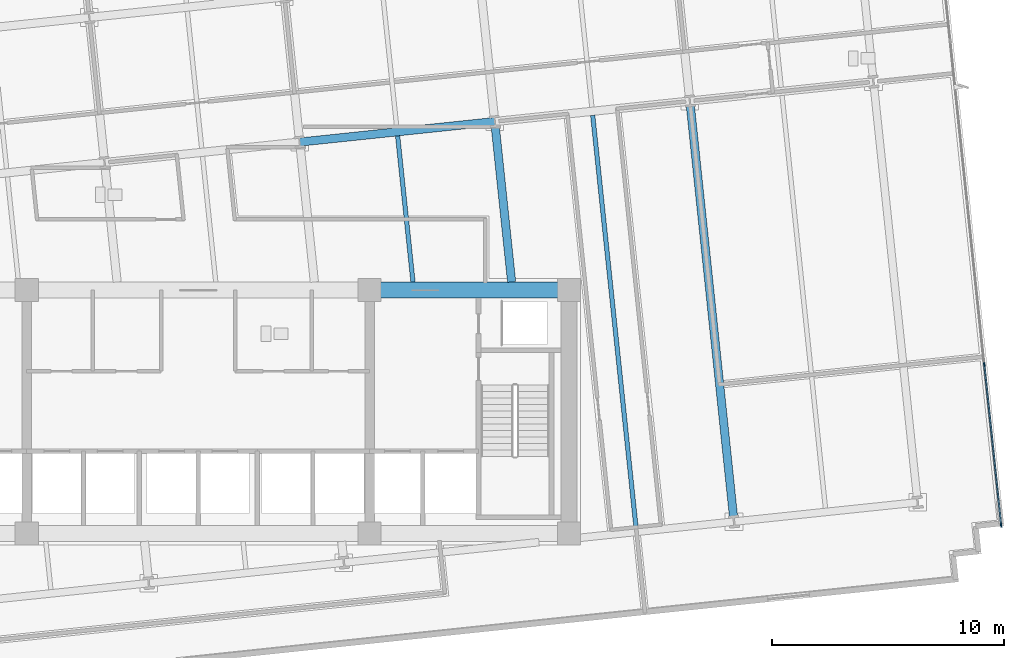
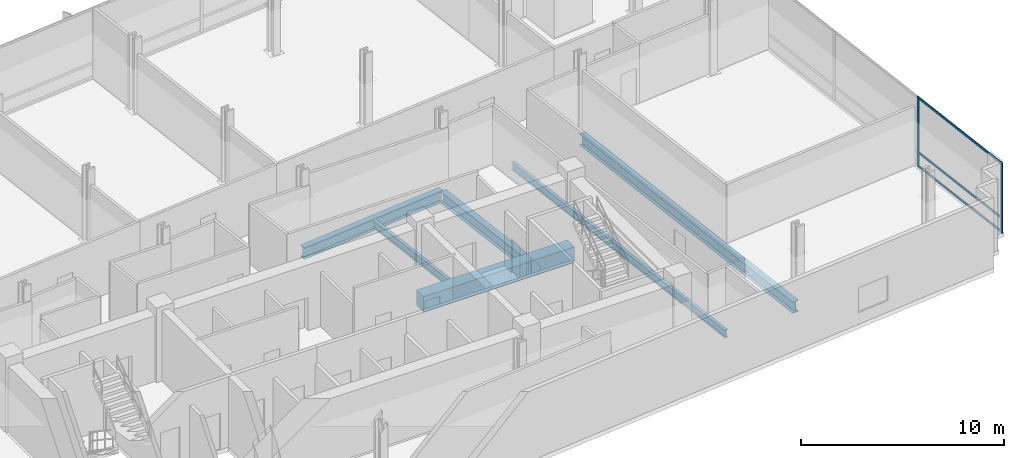
# One storey, part 6 of 20: 6 beams, 5 members, 1 element without a shape of its own.
"""IFC4 building model written with IfcOpenShell, lengths in metres."""

from ifc_helpers import new_model, si_unit, direction, frame, origin, origin_2d, place, context, subcontext, project, spatial, rectangle, i_section, extrude, material, material_profile, profile_set, type_object, element, aggregate, save


model = new_model("IFC4")

# Units and contexts
model_context = context("Model", 3, precision=1e-05, world=origin(), true_north=direction((0.0, 1.0)))
body_context = subcontext(model_context, "Body", "Model", "MODEL_VIEW")
ifc_project = project(units=[si_unit("LENGTHUNIT", "METRE"), si_unit("AREAUNIT", "SQUARE_METRE"), si_unit("VOLUMEUNIT", "CUBIC_METRE"), si_unit("PLANEANGLEUNIT", "RADIAN"), si_unit("MASSUNIT", "GRAM", prefix="KILO")], contexts=[model_context])

# Site, building, storey
site_placement = place(None, origin())
site = spatial("IfcSite", under=ifc_project, at=site_placement, CompositionType="ELEMENT")
building_placement = place(site_placement, origin())
building = spatial("IfcBuilding", under=site, at=building_placement, Name="Solmavex Isthmus Hotel", CompositionType="ELEMENT")
storey_placement = place(building_placement, frame((0.0, 0.0, 101.85009765625)))
storey = spatial("IfcBuildingStorey", under=building, at=storey_placement, Name="L27", CompositionType="ELEMENT", Elevation=101.85009765625)

# Beams
ifc_material_1 = material(Name="Steel ASTM A992 Grade 50", Category="steel")
ifc_material_profile_1 = material_profile(ifc_material_1, i_section(OverallWidth=0.354736328125, OverallDepth=0.695556640625, WebThickness=0.015380859375, FlangeThickness=0.02490234375, FilletRadius=0.017822265625, at=origin_2d()), Name="W27X146")
ifc_profile_set_1 = profile_set([ifc_material_profile_1], Name="Steel ASTM A992 Grade 50")
beam_type_1 = type_object("IfcBeamType", Name="BM-BG-W27X146", PredefinedType="BEAM", material=ifc_profile_set_1)
beam_1_placement = place(storey_placement, frame((4.38037109375, 3.888427734375, -0.60791015625), z_axis=(0.994521085209, 0.104536171134, 0.0), x_axis=(-0.104536171134, 0.994521085209, 0.0)))
element("IfcBeam", 1, at=beam_1_placement, inside=storey, type_object=beam_type_1, Name="Floor Girder L27-UG10", PredefinedType="BEAM", context=body_context, shape_type="SweptSolid", body=[
    extrude(i_section(OverallWidth=0.354736328125, OverallDepth=0.695556640625, WebThickness=0.015380859375, FlangeThickness=0.02490234375, FilletRadius=0.017822265625, at=origin_2d()), origin(), (0.0, 0.0, 1.0), 8.466064453125),
])
beam_2_placement = place(storey_placement, frame((13.52783203125, -2.14990234375, -0.60791015625), z_axis=(-0.104544283528, 0.994520232465, 0.0), x_axis=(-0.994520232465, -0.104544283528, 0.0)))
element("IfcBeam", 2, at=beam_2_placement, inside=storey, type_object=beam_type_1, Name="Floor Beam L27-VG40", PredefinedType="BEAM", context=body_context, shape_type="SweptSolid", body=[
    extrude(i_section(OverallWidth=0.354736328125, OverallDepth=0.695556640625, WebThickness=0.015380859375, FlangeThickness=0.02490234375, FilletRadius=0.017822265625, at=origin_2d()), origin(), (0.0, 0.0, 1.0), 6.783935546875),
])
beam_3_placement = place(storey_placement, frame((23.1103515625, -12.329345703125, -0.60791015625), z_axis=(-0.104530088192, 0.99452172458, 0.0), x_axis=(-0.99452172458, -0.104530088192, 0.0)))
element("IfcBeam", 3, at=beam_3_placement, inside=storey, type_object=beam_type_1, Name="Floor Beam L27-VG43", PredefinedType="BEAM", context=body_context, shape_type="SweptSolid", body=[
    extrude(i_section(OverallWidth=0.354736328125, OverallDepth=0.695556640625, WebThickness=0.015380859375, FlangeThickness=0.02490234375, FilletRadius=0.017822265625, at=origin_2d()), origin(), (0.0, 0.0, 1.0), 17.909423828125),
])
ifc_material_profile_2 = material_profile(ifc_material_1, i_section(OverallWidth=0.1904296875, OverallDepth=0.456787109375, WebThickness=0.009033203125, FlangeThickness=0.014404296875, FilletRadius=0.0126953125, at=origin_2d()), Name="W18X50")
ifc_profile_set_2 = profile_set([ifc_material_profile_2], Name="Steel ASTM A992 Grade 50")
beam_type_2 = type_object("IfcBeamType", Name="BM-BJ-W18X50", PredefinedType="JOIST", material=ifc_profile_set_2)
beam_4_placement = place(storey_placement, frame((9.271484375, -2.14990234375, -0.488525390625), z_axis=(-0.104524400071, 0.994522322419, 0.0), x_axis=(-0.994522322419, -0.104524400071, 0.0)))
element("IfcBeam", 4, at=beam_4_placement, inside=storey, type_object=beam_type_2, Name="Secondary Floor Joist L27-J13", PredefinedType="JOIST", context=body_context, shape_type="SweptSolid", body=[
    extrude(i_section(OverallWidth=0.1904296875, OverallDepth=0.456787109375, WebThickness=0.009033203125, FlangeThickness=0.014404296875, FilletRadius=0.0126953125, at=origin_2d()), origin(), (0.0, 0.0, 1.0), 6.339111328125),
])
beam_5_placement = place(storey_placement, frame((18.900390625, -12.771728515625, -0.488525390625), z_axis=(-0.104516605126, 0.994523141638, 0.0), x_axis=(-0.994523141638, -0.104516605126, 0.0)))
element("IfcBeam", 5, at=beam_5_placement, inside=storey, type_object=beam_type_2, Name="Secondary Floor Joist L27-J16", PredefinedType="JOIST", context=body_context, shape_type="SweptSolid", body=[
    extrude(i_section(OverallWidth=0.1904296875, OverallDepth=0.456787109375, WebThickness=0.009033203125, FlangeThickness=0.014404296875, FilletRadius=0.0126953125, at=origin_2d()), origin(), (0.0, 0.0, 1.0), 17.909423828125),
])
ifc_material_2 = material(Name="Concrete C60/75", Category="concrete")
ifc_material_profile_3 = material_profile(ifc_material_2, rectangle(XDim=0.699951171875, YDim=0.949951171875, at=origin_2d()), Name="RC700X950")
ifc_profile_set_3 = profile_set([ifc_material_profile_3], Name="Concrete C60/75")
beam_type_3 = type_object("IfcBeamType", Name="BM-CB-700X950", PredefinedType="BEAM", material=ifc_profile_set_3)
beam_6_placement = place(storey_placement, frame((7.39990234375, -2.5, -0.735107421875), z_axis=(1.0, 0.0, 0.0), x_axis=(0.0, 1.0, 0.0)))
element("IfcBeam", 6, at=beam_6_placement, inside=storey, type_object=beam_type_3, Name="Core Coupling Beam L27-CB6", PredefinedType="BEAM", context=body_context, shape_type="SweptSolid", body=[
    extrude(rectangle(XDim=0.699951171875, YDim=0.949951171875, at=origin_2d()), origin(), (0.0, 0.0, 1.0), 8.60009765625),
])

# Curtain wall, members
ifc_material_3 = material(Name="Aluminium alloy 6063-T6", Category="aluminium")
curtain_wall_type = type_object("IfcCurtainWallType", Name="CW-SYS-05", PredefinedType="NOTDEFINED", material=ifc_material_3)
curtain_wall_placement = place(storey_placement, origin())
curtain_wall = element("IfcCurtainWall", 7, at=curtain_wall_placement, inside=storey, type_object=curtain_wall_type, Name="Stick Curtain Wall CWL-L27-E1", PredefinedType="NOTDEFINED")
ifc_material_profile_4 = material_profile(ifc_material_3, rectangle(XDim=0.06494140625, YDim=0.159912109375, at=origin_2d()), Name="CWM-65X160")
ifc_profile_set_4 = profile_set([ifc_material_profile_4], Name="Aluminium alloy 6063-T6")
member_type_1 = type_object("IfcMemberType", Name="CW-SYS-05-MUL", PredefinedType="MULLION", material=ifc_profile_set_4)
member_1_placement = place(storey_placement, frame((34.655517578125, -12.655029296875, 0.0), z_axis=(0.0, 0.0, 1.0), x_axis=(-0.994521893044, -0.104528485381, 0.0)))
member_1 = element("IfcMember", 8, at=member_1_placement, type_object=member_type_1, Name="CW-05 mullion 1", PredefinedType="MULLION", context=body_context, shape_type="SweptSolid", body=[
    extrude(rectangle(XDim=0.06494140625, YDim=0.159912109375, at=origin_2d()), origin(), (0.0, 0.0, 1.0), 4.239990234375),
])
member_2_placement = place(storey_placement, frame((33.92529296875, -5.705810546875, 0.0), z_axis=(0.0, 0.0, 1.0), x_axis=(-0.994521893044, -0.104528485381, 0.0)))
member_2 = element("IfcMember", 9, at=member_2_placement, type_object=member_type_1, Name="CW-05 mullion 2", PredefinedType="MULLION", context=body_context, shape_type="SweptSolid", body=[
    extrude(rectangle(XDim=0.06494140625, YDim=0.159912109375, at=origin_2d()), origin(), (0.0, 0.0, 1.0), 4.239990234375),
])
ifc_material_profile_5 = material_profile(ifc_material_3, rectangle(XDim=0.06494140625, YDim=0.125, at=origin_2d()), Name="CWT-65X125")
ifc_profile_set_5 = profile_set([ifc_material_profile_5], Name="Aluminium alloy 6063-T6")
member_type_2 = type_object("IfcMemberType", Name="CW-SYS-05-TRN", PredefinedType="USERDEFINED", material=ifc_profile_set_5)
member_3_placement = place(storey_placement, frame((34.652099609375, -12.622802734375, 0.0625), z_axis=(-0.104495694305, 0.994525338979, 0.0), x_axis=(-0.994525338979, -0.104495694305, 0.0)))
member_3 = element("IfcMember", 10, at=member_3_placement, type_object=member_type_2, Name="CW-05 transom 1.1", ObjectType="TRANSOM", PredefinedType="USERDEFINED", context=body_context, shape_type="SweptSolid", body=[
    extrude(rectangle(XDim=0.06494140625, YDim=0.125, at=origin_2d()), origin(), (0.0, 0.0, 1.0), 6.922607421875),
])
member_4_placement = place(storey_placement, frame((34.652099609375, -12.622802734375, 0.89990234375), z_axis=(-0.104495694305, 0.994525338979, 0.0), x_axis=(-0.994525338979, -0.104495694305, 0.0)))
member_4 = element("IfcMember", 11, at=member_4_placement, type_object=member_type_2, Name="CW-05 transom 1.2", ObjectType="TRANSOM", PredefinedType="USERDEFINED", context=body_context, shape_type="SweptSolid", body=[
    extrude(rectangle(XDim=0.06494140625, YDim=0.125, at=origin_2d()), origin(), (0.0, 0.0, 1.0), 6.922607421875),
])
member_5_placement = place(storey_placement, frame((34.652099609375, -12.622802734375, 4.177490234375), z_axis=(-0.104495694305, 0.994525338979, 0.0), x_axis=(-0.994525338979, -0.104495694305, 0.0)))
member_5 = element("IfcMember", 12, at=member_5_placement, type_object=member_type_2, Name="CW-05 transom 1.3", ObjectType="TRANSOM", PredefinedType="USERDEFINED", context=body_context, shape_type="SweptSolid", body=[
    extrude(rectangle(XDim=0.06494140625, YDim=0.125, at=origin_2d()), origin(), (0.0, 0.0, 1.0), 6.922607421875),
])
aggregate(curtain_wall, [member_1, member_2, member_3, member_4, member_5])

save(model, "model.ifc")
